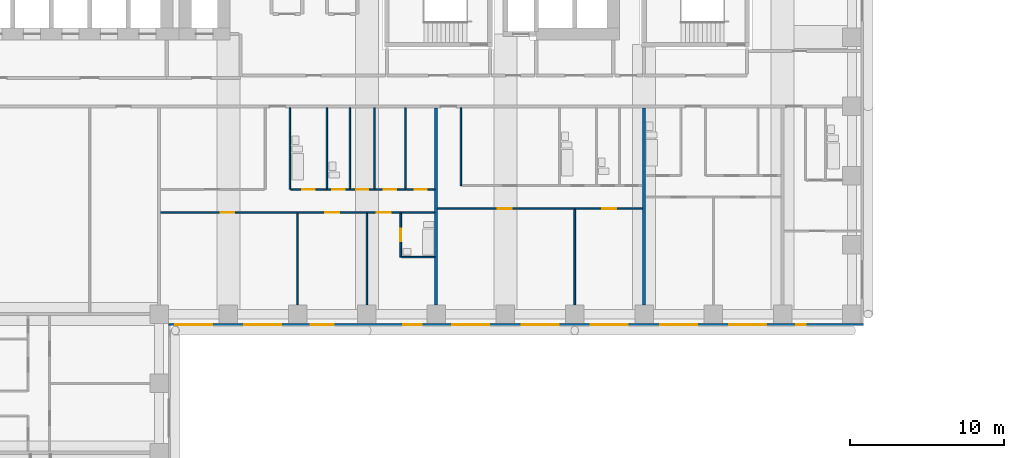
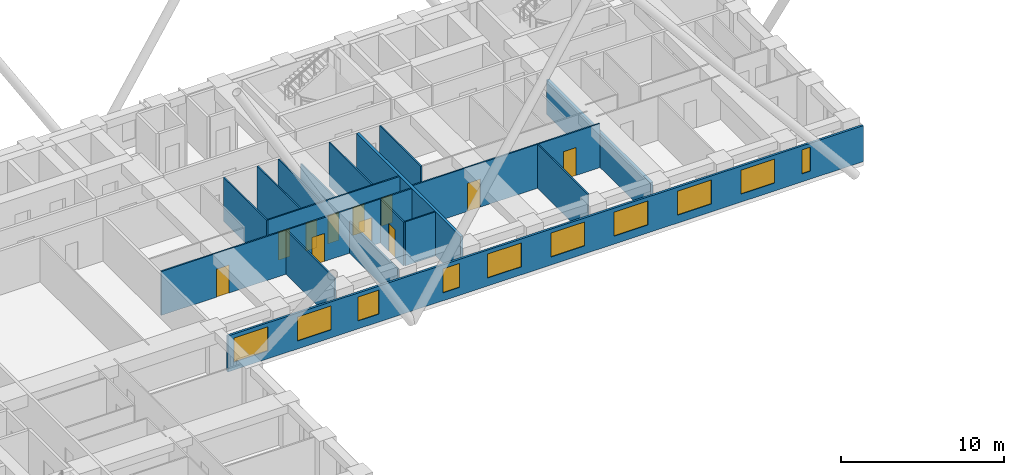
# One storey, part 12 of 20: 17 walls, 11 doors, 10 windows, 21 openings.
"""IFC4 building model written with IfcOpenShell, lengths in metres."""

from ifc_helpers import new_model, si_unit, direction, frame, frame_2d, origin, place, context, subcontext, project, spatial, rectangle, extrude, material, layer, layer_set, type_object, element, fill, save


model = new_model("IFC4")

# Units and contexts
model_context = context("Model", 3, precision=1e-05, world=origin(), true_north=direction((0.0, 1.0)))
body_context = subcontext(model_context, "Body", "Model", "MODEL_VIEW")
ifc_project = project(units=[si_unit("LENGTHUNIT", "METRE"), si_unit("AREAUNIT", "SQUARE_METRE"), si_unit("VOLUMEUNIT", "CUBIC_METRE"), si_unit("PLANEANGLEUNIT", "RADIAN"), si_unit("MASSUNIT", "GRAM", prefix="KILO")], contexts=[model_context])

# Site, building, storey
site_placement = place(None, origin())
site = spatial("IfcSite", under=ifc_project, at=site_placement, CompositionType="ELEMENT")
building_placement = place(site_placement, origin())
building = spatial("IfcBuilding", under=site, at=building_placement, Name="Firuza Court", CompositionType="ELEMENT")
storey_placement = place(building_placement, frame((0.0, 0.0, 29.0)))
storey = spatial("IfcBuildingStorey", under=building, at=storey_placement, Name="L05", CompositionType="ELEMENT", Elevation=29.0)

# Wall, opening, door
ifc_material_1 = material(Name="Moisture-resistant gypsum board partition")
ifc_layer_1 = layer(ifc_material_1, 0.10009765625)
ifc_layer_set_1 = layer_set([ifc_layer_1], Name="Moisture-resistant gypsum board partition")
wall_type_1 = type_object("IfcWallType", Name="Bathroom partition 100", PredefinedType="PLUMBINGWALL", material=ifc_layer_set_1)
wall_1_placement = place(storey_placement, frame((38.199951171875, 39.699951171875, 0.0), z_axis=(0.0, 0.0, 1.0), x_axis=(0.0, 1.0, 0.0)))
wall_1 = element("IfcWall", 1, at=wall_1_placement, inside=storey, type_object=wall_type_1, Name="Bathroom partition 100 L05", PredefinedType="PLUMBINGWALL", context=body_context, shape_type="SweptSolid", body=[
    extrude(rectangle(XDim=2.85009765625, YDim=0.10009765625, at=frame_2d((1.425048828125, 0.0))), origin(), (0.0, 0.0, 1.0), 3.300048828125),
])
opening_1_placement = place(wall_1_placement, frame((1.050048828125, 0.0, 0.0)))
opening_1 = element("IfcOpeningElement", 2, at=opening_1_placement, cuts=wall_1, Name="Opening D05042", PredefinedType="OPENING", context=body_context, shape_type="SweptSolid", body=[
    extrude(rectangle(XDim=0.800048828125, YDim=2.10009765625, at=frame_2d((0.39990234375, 1.050048828125))), frame((0.0, 0.06201171875, 0.0), z_axis=(0.0, -1.0, 0.0), x_axis=(1.0, 0.0, 0.0)), (0.0, 0.0, 1.0), 0.1240234375),
])
ifc_material_2 = material(Name="Timber door leaf in hardwood frame", Category="wood")
door_type_1 = type_object("IfcDoorType", Name="Bathroom door 800", OperationType="SINGLE_SWING_LEFT", PredefinedType="DOOR", material=ifc_material_2)
door_1_placement = place(opening_1_placement, frame((0.800048828125, 0.0, 0.0), z_axis=(0.0, 0.0, 1.0), x_axis=(-1.0, 0.0, 0.0)))
door_1 = element("IfcDoor", 3, at=door_1_placement, inside=storey, type_object=door_type_1, Name="En-suite door", OperationType="SINGLE_SWING_RIGHT", OverallHeight=2.10009765625, OverallWidth=0.800048828125, PredefinedType="DOOR", context=body_context, shape_type="SweptSolid", body=[
    extrude(rectangle(XDim=0.800048828125, YDim=2.10009765625, at=frame_2d((0.39990234375, 1.050048828125))), frame((0.0, 0.02490234375, 0.0), z_axis=(0.0, -1.0, 0.0), x_axis=(1.0, 0.0, 0.0)), (0.0, 0.0, 1.0), 0.050048828125),
])
fill(opening_1, door_1)

# Walls
wall_2_placement = place(storey_placement, frame((38.25, 39.699951171875, 0.0), z_axis=(0.0, 0.0, 1.0), x_axis=(1.0, 0.0, 0.0)))
element("IfcWall", 4, at=wall_2_placement, inside=storey, type_object=wall_type_1, Name="Bathroom partition 100 L05", PredefinedType="PLUMBINGWALL", context=body_context, shape_type="SweptSolid", body=[
    extrude(rectangle(XDim=2.14990234375, YDim=0.10009765625, at=frame_2d((1.074951171875, 0.0))), origin(), (0.0, 0.0, 1.0), 3.300048828125),
])
wall_3_placement = place(storey_placement, frame((31.0, 44.10009765625, 0.0), z_axis=(0.0, 0.0, 1.0), x_axis=(0.0, 1.0, 0.0)))
element("IfcWall", 5, at=wall_3_placement, inside=storey, type_object=wall_type_1, Name="Bathroom partition 100 L05", PredefinedType="PLUMBINGWALL", context=body_context, shape_type="SweptSolid", body=[
    extrude(rectangle(XDim=5.2998046875, YDim=0.10009765625, at=frame_2d((2.64990234375, 0.0))), origin(), (0.0, 0.0, 1.0), 3.300048828125),
])
for number, where, z_axis, x_axis, name in (
    (6, (33.39990234375, 44.14990234375, 0.0), (0.0, 0.0, 1.0), (0.0, 1.0, 0.0), "Bathroom partition 100 L05"),
    (7, (34.89990234375, 44.14990234375, 0.0), (0.0, 0.0, 1.0), (0.0, 1.0, 0.0), "Bathroom partition 100 L05"),
):
    element("IfcWall", number, at=place(storey_placement, frame(where, z_axis=z_axis, x_axis=x_axis)), inside=storey, type_object=wall_type_1, Name=name, PredefinedType="PLUMBINGWALL", context=body_context, shape_type="SweptSolid", body=[
        extrude(rectangle(XDim=5.25, YDim=0.10009765625, at=frame_2d((2.625, 0.0))), origin(), (0.0, 0.0, 1.0), 3.300048828125),
    ])
ifc_material_3 = material(Name="Timber stud partition, plasterboard both sides", Category="wood")
ifc_layer_2 = layer(ifc_material_3, 0.10009765625)
ifc_layer_set_2 = layer_set([ifc_layer_2], Name="Timber stud partition, plasterboard both sides")
wall_type_2 = type_object("IfcWallType", Name="Partition wall 100", PredefinedType="PARTITIONING", material=ifc_layer_set_2)
wall_4_placement = place(storey_placement, frame((31.5, 36.60009765625, 0.0), z_axis=(0.0, 0.0, 1.0), x_axis=(0.0, 1.0, 0.0)))
element("IfcWall", 8, at=wall_4_placement, inside=storey, type_object=wall_type_2, Name="Partition wall 100 L05", PredefinedType="PARTITIONING", context=body_context, shape_type="SweptSolid", body=[
    extrude(rectangle(XDim=5.949951171875, YDim=0.10009765625, at=frame_2d((2.97509765625, 0.0))), origin(), (0.0, 0.0, 1.0), 3.300048828125),
])
wall_5_placement = place(storey_placement, frame((36.0, 36.60009765625, 0.0), z_axis=(0.0, 0.0, 1.0), x_axis=(0.0, 1.0, 0.0)))
element("IfcWall", 9, at=wall_5_placement, inside=storey, type_object=wall_type_2, Name="Partition wall 100 L05", PredefinedType="PARTITIONING", context=body_context, shape_type="SweptSolid", body=[
    extrude(rectangle(XDim=5.949951171875, YDim=0.10009765625, at=frame_2d((2.97509765625, 0.0))), origin(), (0.0, 0.0, 1.0), 2.39990234375),
])
wall_6_placement = place(storey_placement, frame((49.5, 36.60009765625, 0.0), z_axis=(0.0, 0.0, 1.0), x_axis=(0.0, 1.0, 0.0)))
element("IfcWall", 10, at=wall_6_placement, inside=storey, type_object=wall_type_2, Name="Partition wall 100 L05", PredefinedType="PARTITIONING", context=body_context, shape_type="SweptSolid", body=[
    extrude(rectangle(XDim=6.199951171875, YDim=0.10009765625, at=frame_2d((3.10009765625, 0.0))), origin(), (0.0, 0.0, 1.0), 3.300048828125),
])

# Wall, openings, doors
wall_7_placement = place(storey_placement, frame((22.60009765625, 42.60009765625, 0.0), z_axis=(0.0, 0.0, 1.0), x_axis=(1.0, 0.0, 0.0)))
wall_7 = element("IfcWall", 11, at=wall_7_placement, inside=storey, type_object=wall_type_2, Name="Partition wall 100 L05", PredefinedType="PARTITIONING", context=body_context, shape_type="SweptSolid", body=[
    extrude(rectangle(XDim=17.7998046875, YDim=0.10009765625, at=frame_2d((8.89990234375, 0.0))), origin(), (0.0, 0.0, 1.0), 3.300048828125),
])
opening_2_placement = place(wall_7_placement, frame((3.89990234375, 0.0, 0.0)))
opening_2 = element("IfcOpeningElement", 12, at=opening_2_placement, cuts=wall_7, Name="Opening D05044", PredefinedType="OPENING", context=body_context, shape_type="SweptSolid", body=[
    extrude(rectangle(XDim=0.89990234375, YDim=2.10009765625, at=frame_2d((0.449951171875, 1.050048828125))), frame((0.0, 0.06201171875, 0.0), z_axis=(0.0, -1.0, 0.0), x_axis=(1.0, 0.0, 0.0)), (0.0, 0.0, 1.0), 0.1240234375),
])
opening_3_placement = place(wall_7_placement, frame((10.699951171875, 0.0, 0.0)))
opening_3 = element("IfcOpeningElement", 13, at=opening_3_placement, cuts=wall_7, Name="Opening D05045", PredefinedType="OPENING", context=body_context, shape_type="SweptSolid", body=[
    extrude(rectangle(XDim=0.89990234375, YDim=2.10009765625, at=frame_2d((0.449951171875, 1.050048828125))), frame((0.0, 0.06201171875, 0.0), z_axis=(0.0, -1.0, 0.0), x_axis=(1.0, 0.0, 0.0)), (0.0, 0.0, 1.0), 0.1240234375),
])
opening_4_placement = place(wall_7_placement, frame((14.050048828125, 0.0, 0.0)))
opening_4 = element("IfcOpeningElement", 14, at=opening_4_placement, cuts=wall_7, Name="Opening D05046", PredefinedType="OPENING", context=body_context, shape_type="SweptSolid", body=[
    extrude(rectangle(XDim=0.89990234375, YDim=2.10009765625, at=frame_2d((0.449951171875, 1.050048828125))), frame((0.0, 0.06201171875, 0.0), z_axis=(0.0, -1.0, 0.0), x_axis=(1.0, 0.0, 0.0)), (0.0, 0.0, 1.0), 0.1240234375),
])
ifc_material_4 = material(Name="Timber door leaf in hardwood frame", Category="wood")
door_type_2 = type_object("IfcDoorType", Name="Room door 900", OperationType="SINGLE_SWING_LEFT", PredefinedType="DOOR", material=ifc_material_4)
door_2_placement = place(opening_2_placement, frame((0.89990234375, 0.0, 0.0), z_axis=(0.0, 0.0, 1.0), x_axis=(-1.0, 0.0, 0.0)))
door_2 = element("IfcDoor", 15, at=door_2_placement, inside=storey, type_object=door_type_2, Name="Living room door", OperationType="SINGLE_SWING_RIGHT", OverallHeight=2.10009765625, OverallWidth=0.89990234375, PredefinedType="DOOR", context=body_context, shape_type="SweptSolid", body=[
    extrude(rectangle(XDim=0.89990234375, YDim=2.10009765625, at=frame_2d((0.449951171875, 1.050048828125))), frame((0.0, 0.02490234375, 0.0), z_axis=(0.0, -1.0, 0.0), x_axis=(1.0, 0.0, 0.0)), (0.0, 0.0, 1.0), 0.050048828125),
])
fill(opening_2, door_2)
door_3_placement = place(opening_3_placement, frame((0.89990234375, 0.0, 0.0), z_axis=(0.0, 0.0, 1.0), x_axis=(-1.0, 0.0, 0.0)))
door_3 = element("IfcDoor", 16, at=door_3_placement, inside=storey, type_object=door_type_2, Name="Bedroom door", OperationType="SINGLE_SWING_RIGHT", OverallHeight=2.10009765625, OverallWidth=0.89990234375, PredefinedType="DOOR", context=body_context, shape_type="SweptSolid", body=[
    extrude(rectangle(XDim=0.89990234375, YDim=2.10009765625, at=frame_2d((0.449951171875, 1.050048828125))), frame((0.0, 0.02490234375, 0.0), z_axis=(0.0, -1.0, 0.0), x_axis=(1.0, 0.0, 0.0)), (0.0, 0.0, 1.0), 0.050048828125),
])
fill(opening_3, door_3)
door_4_placement = place(opening_4_placement, frame((0.89990234375, 0.0, 0.0), z_axis=(0.0, 0.0, 1.0), x_axis=(-1.0, 0.0, 0.0)))
door_4 = element("IfcDoor", 17, at=door_4_placement, inside=storey, type_object=door_type_2, Name="Bedroom door", OperationType="SINGLE_SWING_RIGHT", OverallHeight=2.10009765625, OverallWidth=0.89990234375, PredefinedType="DOOR", context=body_context, shape_type="SweptSolid", body=[
    extrude(rectangle(XDim=0.89990234375, YDim=2.10009765625, at=frame_2d((0.449951171875, 1.050048828125))), frame((0.0, 0.02490234375, 0.0), z_axis=(0.0, -1.0, 0.0), x_axis=(1.0, 0.0, 0.0)), (0.0, 0.0, 1.0), 0.050048828125),
])
fill(opening_4, door_4)

wall_8_placement = place(storey_placement, frame((40.60009765625, 42.85009765625, 0.0), z_axis=(0.0, 0.0, 1.0), x_axis=(1.0, 0.0, 0.0)))
wall_8 = element("IfcWall", 18, at=wall_8_placement, inside=storey, type_object=wall_type_2, Name="Partition wall 100 L05", PredefinedType="PARTITIONING", context=body_context, shape_type="SweptSolid", body=[
    extrude(rectangle(XDim=13.2998046875, YDim=0.10009765625, at=frame_2d((6.64990234375, 0.0))), origin(), (0.0, 0.0, 1.0), 3.300048828125),
])
opening_5_placement = place(wall_8_placement, frame((3.89990234375, 0.0, 0.0)))
opening_5 = element("IfcOpeningElement", 19, at=opening_5_placement, cuts=wall_8, Name="Opening D05047", PredefinedType="OPENING", context=body_context, shape_type="SweptSolid", body=[
    extrude(rectangle(XDim=0.89990234375, YDim=2.10009765625, at=frame_2d((0.449951171875, 1.050048828125))), frame((0.0, 0.06201171875, 0.0), z_axis=(0.0, -1.0, 0.0), x_axis=(1.0, 0.0, 0.0)), (0.0, 0.0, 1.0), 0.1240234375),
])
opening_6_placement = place(wall_8_placement, frame((10.699951171875, 0.0, 0.0)))
opening_6 = element("IfcOpeningElement", 20, at=opening_6_placement, cuts=wall_8, Name="Opening D05048", PredefinedType="OPENING", context=body_context, shape_type="SweptSolid", body=[
    extrude(rectangle(XDim=0.89990234375, YDim=2.10009765625, at=frame_2d((0.449951171875, 1.050048828125))), frame((0.0, 0.06201171875, 0.0), z_axis=(0.0, -1.0, 0.0), x_axis=(1.0, 0.0, 0.0)), (0.0, 0.0, 1.0), 0.1240234375),
])
door_5_placement = place(opening_5_placement, frame((0.89990234375, 0.0, 0.0), z_axis=(0.0, 0.0, 1.0), x_axis=(-1.0, 0.0, 0.0)))
door_5 = element("IfcDoor", 21, at=door_5_placement, inside=storey, type_object=door_type_2, Name="Living room door", OperationType="SINGLE_SWING_RIGHT", OverallHeight=2.10009765625, OverallWidth=0.89990234375, PredefinedType="DOOR", context=body_context, shape_type="SweptSolid", body=[
    extrude(rectangle(XDim=0.89990234375, YDim=2.10009765625, at=frame_2d((0.449951171875, 1.050048828125))), frame((0.0, 0.02490234375, 0.0), z_axis=(0.0, -1.0, 0.0), x_axis=(1.0, 0.0, 0.0)), (0.0, 0.0, 1.0), 0.050048828125),
])
fill(opening_5, door_5)
door_6_placement = place(opening_6_placement, frame((0.89990234375, 0.0, 0.0), z_axis=(0.0, 0.0, 1.0), x_axis=(-1.0, 0.0, 0.0)))
door_6 = element("IfcDoor", 22, at=door_6_placement, inside=storey, type_object=door_type_2, Name="Bedroom door", OperationType="SINGLE_SWING_RIGHT", OverallHeight=2.10009765625, OverallWidth=0.89990234375, PredefinedType="DOOR", context=body_context, shape_type="SweptSolid", body=[
    extrude(rectangle(XDim=0.89990234375, YDim=2.10009765625, at=frame_2d((0.449951171875, 1.050048828125))), frame((0.0, 0.02490234375, 0.0), z_axis=(0.0, -1.0, 0.0), x_axis=(1.0, 0.0, 0.0)), (0.0, 0.0, 1.0), 0.050048828125),
])
fill(opening_6, door_6)

wall_9_placement = place(storey_placement, frame((31.050048828125, 44.10009765625, 0.0), z_axis=(0.0, 0.0, 1.0), x_axis=(1.0, 0.0, 0.0)))
wall_9 = element("IfcWall", 23, at=wall_9_placement, inside=storey, type_object=wall_type_2, Name="Partition wall 100 L05", PredefinedType="PARTITIONING", context=body_context, shape_type="SweptSolid", body=[
    extrude(rectangle(XDim=9.349853515625, YDim=0.10009765625, at=frame_2d((4.6748046875, 0.0))), origin(), (0.0, 0.0, 1.0), 3.300048828125),
])
opening_7_placement = place(wall_9_placement, frame((0.75, 0.0, 0.0)))
opening_7 = element("IfcOpeningElement", 24, at=opening_7_placement, cuts=wall_9, Name="Opening D05052", PredefinedType="OPENING", context=body_context, shape_type="SweptSolid", body=[
    extrude(rectangle(XDim=0.800048828125, YDim=2.10009765625, at=frame_2d((0.39990234375, 1.050048828125))), frame((0.0, 0.06201171875, 0.0), z_axis=(0.0, -1.0, 0.0), x_axis=(1.0, 0.0, 0.0)), (0.0, 0.0, 1.0), 0.1240234375),
])
opening_8_placement = place(wall_9_placement, frame((8.050048828125, 0.0, 0.0)))
opening_8 = element("IfcOpeningElement", 25, at=opening_8_placement, cuts=wall_9, Name="Opening D05053", PredefinedType="OPENING", context=body_context, shape_type="SweptSolid", body=[
    extrude(rectangle(XDim=0.800048828125, YDim=2.10009765625, at=frame_2d((0.39990234375, 1.050048828125))), frame((0.0, 0.06201171875, 0.0), z_axis=(0.0, -1.0, 0.0), x_axis=(1.0, 0.0, 0.0)), (0.0, 0.0, 1.0), 0.1240234375),
])
opening_9_placement = place(wall_9_placement, frame((4.25, 0.0, 0.0)))
opening_9 = element("IfcOpeningElement", 26, at=opening_9_placement, cuts=wall_9, Name="Opening D05054", PredefinedType="OPENING", context=body_context, shape_type="SweptSolid", body=[
    extrude(rectangle(XDim=0.800048828125, YDim=2.10009765625, at=frame_2d((0.39990234375, 1.050048828125))), frame((0.0, 0.06201171875, 0.0), z_axis=(0.0, -1.0, 0.0), x_axis=(1.0, 0.0, 0.0)), (0.0, 0.0, 1.0), 0.1240234375),
])
opening_10_placement = place(wall_9_placement, frame((6.050048828125, 0.0, 0.0)))
opening_10 = element("IfcOpeningElement", 27, at=opening_10_placement, cuts=wall_9, Name="Opening D05055", PredefinedType="OPENING", context=body_context, shape_type="SweptSolid", body=[
    extrude(rectangle(XDim=0.800048828125, YDim=2.10009765625, at=frame_2d((0.39990234375, 1.050048828125))), frame((0.0, 0.06201171875, 0.0), z_axis=(0.0, -1.0, 0.0), x_axis=(1.0, 0.0, 0.0)), (0.0, 0.0, 1.0), 0.1240234375),
])
opening_11_placement = place(wall_9_placement, frame((2.699951171875, 0.0, 0.0)))
opening_11 = element("IfcOpeningElement", 28, at=opening_11_placement, cuts=wall_9, Name="Opening D05056", PredefinedType="OPENING", context=body_context, shape_type="SweptSolid", body=[
    extrude(rectangle(XDim=0.800048828125, YDim=2.10009765625, at=frame_2d((0.39990234375, 1.050048828125))), frame((0.0, 0.06201171875, 0.0), z_axis=(0.0, -1.0, 0.0), x_axis=(1.0, 0.0, 0.0)), (0.0, 0.0, 1.0), 0.1240234375),
])
door_7_placement = place(opening_7_placement, origin())
door_7 = element("IfcDoor", 29, at=door_7_placement, inside=storey, type_object=door_type_1, Name="Bathroom door", OperationType="SINGLE_SWING_LEFT", OverallHeight=2.10009765625, OverallWidth=0.800048828125, PredefinedType="DOOR", context=body_context, shape_type="SweptSolid", body=[
    extrude(rectangle(XDim=0.800048828125, YDim=2.10009765625, at=frame_2d((0.39990234375, 1.050048828125))), frame((0.0, 0.02490234375, 0.0), z_axis=(0.0, -1.0, 0.0), x_axis=(1.0, 0.0, 0.0)), (0.0, 0.0, 1.0), 0.050048828125),
])
fill(opening_7, door_7)
door_8_placement = place(opening_11_placement, origin())
door_8 = element("IfcDoor", 30, at=door_8_placement, inside=storey, type_object=door_type_1, Name="Powder room door", OperationType="SINGLE_SWING_LEFT", OverallHeight=2.10009765625, OverallWidth=0.800048828125, PredefinedType="DOOR", context=body_context, shape_type="SweptSolid", body=[
    extrude(rectangle(XDim=0.800048828125, YDim=2.10009765625, at=frame_2d((0.39990234375, 1.050048828125))), frame((0.0, 0.02490234375, 0.0), z_axis=(0.0, -1.0, 0.0), x_axis=(1.0, 0.0, 0.0)), (0.0, 0.0, 1.0), 0.050048828125),
])
fill(opening_11, door_8)
ifc_material_5 = material(Name="Timber door leaf in hardwood frame", Category="wood")
door_type_3 = type_object("IfcDoorType", Name="Room door 800", OperationType="SINGLE_SWING_LEFT", PredefinedType="DOOR", material=ifc_material_5)
door_9_placement = place(opening_8_placement, origin())
door_9 = element("IfcDoor", 31, at=door_9_placement, inside=storey, type_object=door_type_3, Name="Pantry door", OperationType="SINGLE_SWING_LEFT", OverallHeight=2.10009765625, OverallWidth=0.800048828125, PredefinedType="DOOR", context=body_context, shape_type="SweptSolid", body=[
    extrude(rectangle(XDim=0.800048828125, YDim=2.10009765625, at=frame_2d((0.39990234375, 1.050048828125))), frame((0.0, 0.02490234375, 0.0), z_axis=(0.0, -1.0, 0.0), x_axis=(1.0, 0.0, 0.0)), (0.0, 0.0, 1.0), 0.050048828125),
])
fill(opening_8, door_9)
door_10_placement = place(opening_9_placement, origin())
door_10 = element("IfcDoor", 32, at=door_10_placement, inside=storey, type_object=door_type_3, Name="Store door", OperationType="SINGLE_SWING_LEFT", OverallHeight=2.10009765625, OverallWidth=0.800048828125, PredefinedType="DOOR", context=body_context, shape_type="SweptSolid", body=[
    extrude(rectangle(XDim=0.800048828125, YDim=2.10009765625, at=frame_2d((0.39990234375, 1.050048828125))), frame((0.0, 0.02490234375, 0.0), z_axis=(0.0, -1.0, 0.0), x_axis=(1.0, 0.0, 0.0)), (0.0, 0.0, 1.0), 0.050048828125),
])
fill(opening_9, door_10)
door_11_placement = place(opening_10_placement, origin())
door_11 = element("IfcDoor", 33, at=door_11_placement, inside=storey, type_object=door_type_3, Name="Utility room door", OperationType="SINGLE_SWING_LEFT", OverallHeight=2.10009765625, OverallWidth=0.800048828125, PredefinedType="DOOR", context=body_context, shape_type="SweptSolid", body=[
    extrude(rectangle(XDim=0.800048828125, YDim=2.10009765625, at=frame_2d((0.39990234375, 1.050048828125))), frame((0.0, 0.02490234375, 0.0), z_axis=(0.0, -1.0, 0.0), x_axis=(1.0, 0.0, 0.0)), (0.0, 0.0, 1.0), 0.050048828125),
])
fill(opening_10, door_11)

# Walls
wall_10_placement = place(storey_placement, frame((36.5, 44.14990234375, 0.0), z_axis=(0.0, 0.0, 1.0), x_axis=(0.0, 1.0, 0.0)))
element("IfcWall", 34, at=wall_10_placement, inside=storey, type_object=wall_type_2, Name="Partition wall 100 L05", PredefinedType="PARTITIONING", context=body_context, shape_type="SweptSolid", body=[
    extrude(rectangle(XDim=5.25, YDim=0.10009765625, at=frame_2d((2.625, 0.0))), origin(), (0.0, 0.0, 1.0), 2.39990234375),
])
wall_11_placement = place(storey_placement, frame((38.5, 44.14990234375, 0.0), z_axis=(0.0, 0.0, 1.0), x_axis=(0.0, 1.0, 0.0)))
element("IfcWall", 35, at=wall_11_placement, inside=storey, type_object=wall_type_2, Name="Partition wall 100 L05", PredefinedType="PARTITIONING", context=body_context, shape_type="SweptSolid", body=[
    extrude(rectangle(XDim=5.25, YDim=0.10009765625, at=frame_2d((2.625, 0.0))), origin(), (0.0, 0.0, 1.0), 3.300048828125),
])
wall_12_placement = place(storey_placement, frame((42.10009765625, 44.35009765625, 0.0), z_axis=(0.0, 0.0, 1.0), x_axis=(0.0, 1.0, 0.0)))
element("IfcWall", 36, at=wall_12_placement, inside=storey, type_object=wall_type_2, Name="Partition wall 100 L05", PredefinedType="PARTITIONING", context=body_context, shape_type="SweptSolid", body=[
    extrude(rectangle(XDim=5.0498046875, YDim=0.10009765625, at=frame_2d((2.52490234375, 0.0))), origin(), (0.0, 0.0, 1.0), 3.300048828125),
])
ifc_material_6 = material(Name="Blockwork, plastered both sides", Category="masonry")
ifc_layer_3 = layer(ifc_material_6, 0.199951171875)
ifc_layer_set_3 = layer_set([ifc_layer_3], Name="Blockwork, plastered both sides")
wall_type_3 = type_object("IfcWallType", Name="Party wall 200", PredefinedType="PARTITIONING", material=ifc_layer_set_3)
wall_13_placement = place(storey_placement, frame((40.5, 36.60009765625, 0.0), z_axis=(0.0, 0.0, 1.0), x_axis=(0.0, 1.0, 0.0)))
element("IfcWall", 37, at=wall_13_placement, inside=storey, type_object=wall_type_3, Name="Party wall 200 L05", PredefinedType="PARTITIONING", context=body_context, shape_type="SweptSolid", body=[
    extrude(rectangle(XDim=12.7998046875, YDim=0.199951171875, at=frame_2d((6.39990234375, 0.0))), origin(), (0.0, 0.0, 1.0), 3.300048828125),
])
wall_14_placement = place(storey_placement, frame((54.0, 36.60009765625, 0.0), z_axis=(0.0, 0.0, 1.0), x_axis=(0.0, 1.0, 0.0)))
element("IfcWall", 38, at=wall_14_placement, inside=storey, type_object=wall_type_3, Name="Party wall 200 L05", PredefinedType="PARTITIONING", context=body_context, shape_type="SweptSolid", body=[
    extrude(rectangle(XDim=12.7998046875, YDim=0.199951171875, at=frame_2d((6.39990234375, 0.0))), origin(), (0.0, 0.0, 1.0), 2.60009765625),
])

# Wall, openings, windows
ifc_material_7 = material(Name="Ceramic tile", Category="ceramic")
ifc_layer_4 = layer(ifc_material_7, 0.02001953125)
ifc_material_8 = material(Name="Mineral wool insulation", Category="insulation")
ifc_layer_5 = layer(ifc_material_8, 0.050048828125)
ifc_material_9 = material(Name="Concrete C40/50 precast", Category="concrete")
ifc_layer_6 = layer(ifc_material_9, 0.080078125)
ifc_layer_set_4 = layer_set([ifc_layer_4, ifc_layer_5, ifc_layer_6], Name="Concrete C40/50 precast")
wall_type_4 = type_object("IfcWallType", Name="Precast cladding wall with turquoise TILE PANEL face 150", PredefinedType="STANDARD", material=ifc_layer_set_4)
wall_15_placement = place(storey_placement, frame((23.10009765625, 35.324951171875, 0.0), z_axis=(0.0, 0.0, 1.0), x_axis=(1.0, 0.0, 0.0)))
wall_15 = element("IfcWall", 39, at=wall_15_placement, inside=storey, type_object=wall_type_4, Name="Facade wall L05 S", PredefinedType="STANDARD", context=body_context, shape_type="SweptSolid", body=[
    extrude(rectangle(XDim=45.14990234375, YDim=0.14990234375, at=frame_2d((22.574951171875, 0.0))), origin(), (0.0, 0.0, 1.0), 2.699951171875),
])
opening_12_placement = place(wall_15_placement, frame((0.449951171875, 0.0, 0.60009765625)))
opening_12 = element("IfcOpeningElement", 40, at=opening_12_placement, cuts=wall_15, Name="Opening W1", PredefinedType="OPENING", context=body_context, shape_type="SweptSolid", body=[
    extrude(rectangle(XDim=2.39990234375, YDim=1.800048828125, at=frame_2d((1.199951171875, 0.89990234375))), frame((0.0, 0.0869140625, 0.0), z_axis=(0.0, -1.0, 0.0), x_axis=(1.0, 0.0, 0.0)), (0.0, 0.0, 1.0), 0.173828125),
])
opening_13_placement = place(wall_15_placement, frame((4.949951171875, 0.0, 0.60009765625)))
opening_13 = element("IfcOpeningElement", 41, at=opening_13_placement, cuts=wall_15, Name="Opening W1", PredefinedType="OPENING", context=body_context, shape_type="SweptSolid", body=[
    extrude(rectangle(XDim=2.39990234375, YDim=1.800048828125, at=frame_2d((1.199951171875, 0.89990234375))), frame((0.0, 0.0869140625, 0.0), z_axis=(0.0, -1.0, 0.0), x_axis=(1.0, 0.0, 0.0)), (0.0, 0.0, 1.0), 0.173828125),
])
opening_14_placement = place(wall_15_placement, frame((9.24951171875, 0.0, 0.60009765625)))
opening_14 = element("IfcOpeningElement", 42, at=opening_14_placement, cuts=wall_15, Name="Opening W2", PredefinedType="OPENING", context=body_context, shape_type="SweptSolid", body=[
    extrude(rectangle(XDim=1.5, YDim=1.800048828125, at=frame_2d((0.75, 0.89990234375))), frame((0.0, 0.0869140625, 0.0), z_axis=(0.0, -1.0, 0.0), x_axis=(1.0, 0.0, 0.0)), (0.0, 0.0, 1.0), 0.173828125),
])
opening_15_placement = place(wall_15_placement, frame((15.276611328125, 0.0, 0.60009765625)))
opening_15 = element("IfcOpeningElement", 43, at=opening_15_placement, cuts=wall_15, Name="Opening W8", PredefinedType="OPENING", context=body_context, shape_type="SweptSolid", body=[
    extrude(rectangle(XDim=1.199951171875, YDim=1.800048828125, at=frame_2d((0.60009765625, 0.89990234375))), frame((0.0, 0.0869140625, 0.0), z_axis=(0.0, -1.0, 0.0), x_axis=(1.0, 0.0, 0.0)), (0.0, 0.0, 1.0), 0.173828125),
])
opening_16_placement = place(wall_15_placement, frame((18.449951171875, 0.0, 0.60009765625)))
opening_16 = element("IfcOpeningElement", 44, at=opening_16_placement, cuts=wall_15, Name="Opening W1", PredefinedType="OPENING", context=body_context, shape_type="SweptSolid", body=[
    extrude(rectangle(XDim=2.39990234375, YDim=1.800048828125, at=frame_2d((1.199951171875, 0.89990234375))), frame((0.0, 0.0869140625, 0.0), z_axis=(0.0, -1.0, 0.0), x_axis=(1.0, 0.0, 0.0)), (0.0, 0.0, 1.0), 0.173828125),
])
opening_17_placement = place(wall_15_placement, frame((22.949951171875, 0.0, 0.60009765625)))
opening_17 = element("IfcOpeningElement", 45, at=opening_17_placement, cuts=wall_15, Name="Opening W1", PredefinedType="OPENING", context=body_context, shape_type="SweptSolid", body=[
    extrude(rectangle(XDim=2.39990234375, YDim=1.800048828125, at=frame_2d((1.199951171875, 0.89990234375))), frame((0.0, 0.0869140625, 0.0), z_axis=(0.0, -1.0, 0.0), x_axis=(1.0, 0.0, 0.0)), (0.0, 0.0, 1.0), 0.173828125),
])
opening_18_placement = place(wall_15_placement, frame((27.449951171875, 0.0, 0.60009765625)))
opening_18 = element("IfcOpeningElement", 46, at=opening_18_placement, cuts=wall_15, Name="Opening W1", PredefinedType="OPENING", context=body_context, shape_type="SweptSolid", body=[
    extrude(rectangle(XDim=2.39990234375, YDim=1.800048828125, at=frame_2d((1.199951171875, 0.89990234375))), frame((0.0, 0.0869140625, 0.0), z_axis=(0.0, -1.0, 0.0), x_axis=(1.0, 0.0, 0.0)), (0.0, 0.0, 1.0), 0.173828125),
])
opening_19_placement = place(wall_15_placement, frame((31.949951171875, 0.0, 0.60009765625)))
opening_19 = element("IfcOpeningElement", 47, at=opening_19_placement, cuts=wall_15, Name="Opening W1", PredefinedType="OPENING", context=body_context, shape_type="SweptSolid", body=[
    extrude(rectangle(XDim=2.39990234375, YDim=1.800048828125, at=frame_2d((1.199951171875, 0.89990234375))), frame((0.0, 0.0869140625, 0.0), z_axis=(0.0, -1.0, 0.0), x_axis=(1.0, 0.0, 0.0)), (0.0, 0.0, 1.0), 0.173828125),
])
opening_20_placement = place(wall_15_placement, frame((36.449951171875, 0.0, 0.60009765625)))
opening_20 = element("IfcOpeningElement", 48, at=opening_20_placement, cuts=wall_15, Name="Opening W1", PredefinedType="OPENING", context=body_context, shape_type="SweptSolid", body=[
    extrude(rectangle(XDim=2.39990234375, YDim=1.800048828125, at=frame_2d((1.199951171875, 0.89990234375))), frame((0.0, 0.0869140625, 0.0), z_axis=(0.0, -1.0, 0.0), x_axis=(1.0, 0.0, 0.0)), (0.0, 0.0, 1.0), 0.173828125),
])
opening_21_placement = place(wall_15_placement, frame((40.79736328125, 0.0, 0.60009765625)))
opening_21 = element("IfcOpeningElement", 49, at=opening_21_placement, cuts=wall_15, Name="Opening W4", PredefinedType="OPENING", context=body_context, shape_type="SweptSolid", body=[
    extrude(rectangle(XDim=0.60009765625, YDim=1.800048828125, at=frame_2d((0.300048828125, 0.89990234375))), frame((0.0, 0.0869140625, 0.0), z_axis=(0.0, -1.0, 0.0), x_axis=(1.0, 0.0, 0.0)), (0.0, 0.0, 1.0), 0.173828125),
])
ifc_material_10 = material(Name="Aluminium frame, triple clear glazing", Category="aluminium")
window_type_1 = type_object("IfcWindowType", Name="Window W1 2400 x 1800", PartitioningType="SINGLE_PANEL", PredefinedType="WINDOW", material=ifc_material_10)
window_1_placement = place(opening_12_placement, origin())
window_1 = element("IfcWindow", 50, at=window_1_placement, inside=storey, type_object=window_type_1, Name="Window L05", OverallHeight=1.800048828125, OverallWidth=2.39990234375, PartitioningType="SINGLE_PANEL", PredefinedType="WINDOW", context=body_context, shape_type="SweptSolid", body=[
    extrude(rectangle(XDim=2.39990234375, YDim=1.800048828125, at=frame_2d((1.199951171875, 0.89990234375))), frame((0.0, 0.030029296875, 0.0), z_axis=(0.0, -1.0, 0.0), x_axis=(1.0, 0.0, 0.0)), (0.0, 0.0, 1.0), 0.06005859375),
])
fill(opening_12, window_1)
window_2_placement = place(opening_13_placement, origin())
window_2 = element("IfcWindow", 51, at=window_2_placement, inside=storey, type_object=window_type_1, Name="Window L05", OverallHeight=1.800048828125, OverallWidth=2.39990234375, PartitioningType="SINGLE_PANEL", PredefinedType="WINDOW", context=body_context, shape_type="SweptSolid", body=[
    extrude(rectangle(XDim=2.39990234375, YDim=1.800048828125, at=frame_2d((1.199951171875, 0.89990234375))), frame((0.0, 0.030029296875, 0.0), z_axis=(0.0, -1.0, 0.0), x_axis=(1.0, 0.0, 0.0)), (0.0, 0.0, 1.0), 0.06005859375),
])
fill(opening_13, window_2)
window_3_placement = place(opening_16_placement, origin())
window_3 = element("IfcWindow", 52, at=window_3_placement, inside=storey, type_object=window_type_1, Name="Window L05", OverallHeight=1.800048828125, OverallWidth=2.39990234375, PartitioningType="SINGLE_PANEL", PredefinedType="WINDOW", context=body_context, shape_type="SweptSolid", body=[
    extrude(rectangle(XDim=2.39990234375, YDim=1.800048828125, at=frame_2d((1.199951171875, 0.89990234375))), frame((0.0, 0.030029296875, 0.0), z_axis=(0.0, -1.0, 0.0), x_axis=(1.0, 0.0, 0.0)), (0.0, 0.0, 1.0), 0.06005859375),
])
fill(opening_16, window_3)
window_4_placement = place(opening_17_placement, origin())
window_4 = element("IfcWindow", 53, at=window_4_placement, inside=storey, type_object=window_type_1, Name="Window L05", OverallHeight=1.800048828125, OverallWidth=2.39990234375, PartitioningType="SINGLE_PANEL", PredefinedType="WINDOW", context=body_context, shape_type="SweptSolid", body=[
    extrude(rectangle(XDim=2.39990234375, YDim=1.800048828125, at=frame_2d((1.199951171875, 0.89990234375))), frame((0.0, 0.030029296875, 0.0), z_axis=(0.0, -1.0, 0.0), x_axis=(1.0, 0.0, 0.0)), (0.0, 0.0, 1.0), 0.06005859375),
])
fill(opening_17, window_4)
window_5_placement = place(opening_18_placement, origin())
window_5 = element("IfcWindow", 54, at=window_5_placement, inside=storey, type_object=window_type_1, Name="Window L05", OverallHeight=1.800048828125, OverallWidth=2.39990234375, PartitioningType="SINGLE_PANEL", PredefinedType="WINDOW", context=body_context, shape_type="SweptSolid", body=[
    extrude(rectangle(XDim=2.39990234375, YDim=1.800048828125, at=frame_2d((1.199951171875, 0.89990234375))), frame((0.0, 0.030029296875, 0.0), z_axis=(0.0, -1.0, 0.0), x_axis=(1.0, 0.0, 0.0)), (0.0, 0.0, 1.0), 0.06005859375),
])
fill(opening_18, window_5)
window_6_placement = place(opening_19_placement, origin())
window_6 = element("IfcWindow", 55, at=window_6_placement, inside=storey, type_object=window_type_1, Name="Window L05", OverallHeight=1.800048828125, OverallWidth=2.39990234375, PartitioningType="SINGLE_PANEL", PredefinedType="WINDOW", context=body_context, shape_type="SweptSolid", body=[
    extrude(rectangle(XDim=2.39990234375, YDim=1.800048828125, at=frame_2d((1.199951171875, 0.89990234375))), frame((0.0, 0.030029296875, 0.0), z_axis=(0.0, -1.0, 0.0), x_axis=(1.0, 0.0, 0.0)), (0.0, 0.0, 1.0), 0.06005859375),
])
fill(opening_19, window_6)
window_7_placement = place(opening_20_placement, origin())
window_7 = element("IfcWindow", 56, at=window_7_placement, inside=storey, type_object=window_type_1, Name="Window L05", OverallHeight=1.800048828125, OverallWidth=2.39990234375, PartitioningType="SINGLE_PANEL", PredefinedType="WINDOW", context=body_context, shape_type="SweptSolid", body=[
    extrude(rectangle(XDim=2.39990234375, YDim=1.800048828125, at=frame_2d((1.199951171875, 0.89990234375))), frame((0.0, 0.030029296875, 0.0), z_axis=(0.0, -1.0, 0.0), x_axis=(1.0, 0.0, 0.0)), (0.0, 0.0, 1.0), 0.06005859375),
])
fill(opening_20, window_7)
ifc_material_11 = material(Name="Aluminium frame, triple clear glazing", Category="aluminium")
window_type_2 = type_object("IfcWindowType", Name="Window W2 1500 x 1800", PartitioningType="SINGLE_PANEL", PredefinedType="WINDOW", material=ifc_material_11)
window_8_placement = place(opening_14_placement, origin())
window_8 = element("IfcWindow", 57, at=window_8_placement, inside=storey, type_object=window_type_2, Name="Window L05", OverallHeight=1.800048828125, OverallWidth=1.5, PartitioningType="SINGLE_PANEL", PredefinedType="WINDOW", context=body_context, shape_type="SweptSolid", body=[
    extrude(rectangle(XDim=1.5, YDim=1.800048828125, at=frame_2d((0.75, 0.89990234375))), frame((0.0, 0.030029296875, 0.0), z_axis=(0.0, -1.0, 0.0), x_axis=(1.0, 0.0, 0.0)), (0.0, 0.0, 1.0), 0.06005859375),
])
fill(opening_14, window_8)
ifc_material_12 = material(Name="Aluminium frame, triple clear glazing", Category="aluminium")
window_type_3 = type_object("IfcWindowType", Name="Window W4 600 x 1800", PartitioningType="SINGLE_PANEL", PredefinedType="WINDOW", material=ifc_material_12)
window_9_placement = place(opening_21_placement, origin())
window_9 = element("IfcWindow", 58, at=window_9_placement, inside=storey, type_object=window_type_3, Name="Window L05", OverallHeight=1.800048828125, OverallWidth=0.60009765625, PartitioningType="SINGLE_PANEL", PredefinedType="WINDOW", context=body_context, shape_type="SweptSolid", body=[
    extrude(rectangle(XDim=0.60009765625, YDim=1.800048828125, at=frame_2d((0.300048828125, 0.89990234375))), frame((0.0, 0.030029296875, 0.0), z_axis=(0.0, -1.0, 0.0), x_axis=(1.0, 0.0, 0.0)), (0.0, 0.0, 1.0), 0.06005859375),
])
fill(opening_21, window_9)
ifc_material_13 = material(Name="Aluminium frame, triple clear glazing", Category="aluminium")
window_type_4 = type_object("IfcWindowType", Name="Window W8 1200 x 1800", PartitioningType="SINGLE_PANEL", PredefinedType="WINDOW", material=ifc_material_13)
window_10_placement = place(opening_15_placement, origin())
window_10 = element("IfcWindow", 59, at=window_10_placement, inside=storey, type_object=window_type_4, Name="Window L05", OverallHeight=1.800048828125, OverallWidth=1.199951171875, PartitioningType="SINGLE_PANEL", PredefinedType="WINDOW", context=body_context, shape_type="SweptSolid", body=[
    extrude(rectangle(XDim=1.199951171875, YDim=1.800048828125, at=frame_2d((0.60009765625, 0.89990234375))), frame((0.0, 0.030029296875, 0.0), z_axis=(0.0, -1.0, 0.0), x_axis=(1.0, 0.0, 0.0)), (0.0, 0.0, 1.0), 0.06005859375),
])
fill(opening_15, window_10)

save(model, "model.ifc")
